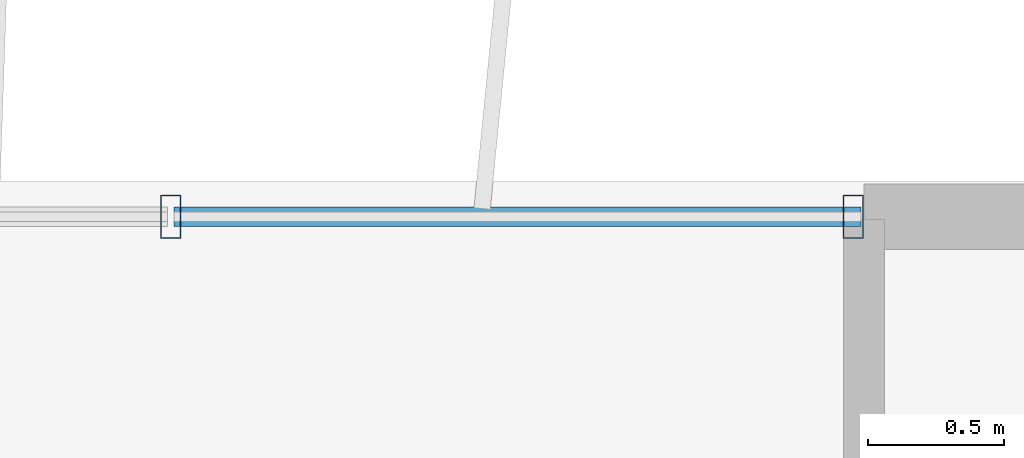
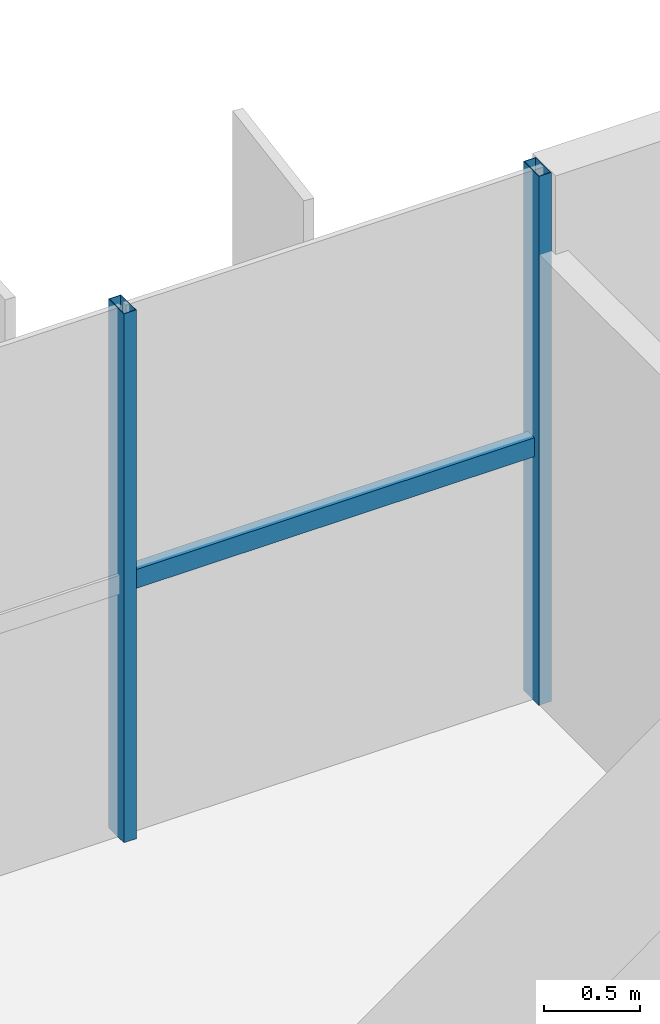
# One storey, part 14 of 21: 3 members, 1 element without a shape of its own.
"""IFC4 building model written with IfcOpenShell, lengths in metres."""

from ifc_helpers import new_model, si_unit, direction, frame, origin, origin_2d, place, context, subcontext, project, spatial, hollow_rectangle, extrude, source, transform, mapped, material, material_profile, profile_set, type_object, element, aggregate, save


model = new_model("IFC4")

# Units and contexts
model_context = context("Model", 3, precision=1e-05, world=origin(), true_north=direction((0.0, 1.0)))
body_context = subcontext(model_context, "Body", "Model", "MODEL_VIEW")
ifc_project = project(units=[si_unit("LENGTHUNIT", "METRE"), si_unit("AREAUNIT", "SQUARE_METRE"), si_unit("VOLUMEUNIT", "CUBIC_METRE"), si_unit("PLANEANGLEUNIT", "RADIAN"), si_unit("MASSUNIT", "GRAM", prefix="KILO")], contexts=[model_context])

# Site, building, storey
site_placement = place(None, origin())
site = spatial("IfcSite", under=ifc_project, at=site_placement, CompositionType="ELEMENT")
building_placement = place(site_placement, origin())
building = spatial("IfcBuilding", under=site, at=building_placement, Name="Trelvane Seafront Commons", CompositionType="ELEMENT")
storey_placement = place(building_placement, frame((0.0, 0.0, 248.699951171875)))
storey = spatial("IfcBuildingStorey", under=building, at=storey_placement, Name="L64", CompositionType="ELEMENT", Elevation=248.699951171875)

# Curtain wall, members
ifc_material = material(Name="Anodised pale-silver aluminium", Category="aluminium")
curtain_wall_type = type_object("IfcCurtainWallType", Name="ARCH-CW5-UPTOWER", PredefinedType="NOTDEFINED", material=ifc_material)
curtain_wall_placement = place(storey_placement, origin())
curtain_wall = element("IfcCurtainWall", 1, at=curtain_wall_placement, inside=storey, type_object=curtain_wall_type, Name="CW-L64-0108", PredefinedType="NOTDEFINED")
ifc_material_profile_1 = material_profile(ifc_material, hollow_rectangle(XDim=0.070068359375, YDim=0.1201171875, WallThickness=0.00390625, at=origin_2d()), Name="TRAN-70x120x4")
ifc_profile_set_1 = profile_set([ifc_material_profile_1], Name="Anodised pale-silver aluminium")
member_type_1 = type_object("IfcMemberType", Name="ARCH-CW-TRAN-120", PredefinedType="USERDEFINED", material=ifc_profile_set_1)
shared_shape_1 = source(origin(), body_context, "Body", "SweptSolid", [
    extrude(hollow_rectangle(XDim=0.070068359375, YDim=0.1201171875, WallThickness=0.00390625, at=origin_2d()), origin(), (0.0, 0.0, 1.0), 2.517333984375),
])
member_1_placement = place(storey_placement, frame((56.270751953125, 48.3701171875, 1.6181640625), z_axis=(1.0, 0.0, 0.0), x_axis=(0.0, 1.0, 0.0)))
member_1 = element("IfcMember", 2, at=member_1_placement, type_object=member_type_1, Name="CW-L64-0108-T16", ObjectType="TRANSOM", PredefinedType="USERDEFINED", context=body_context, shape_type="MappedRepresentation", body=[
    mapped(shared_shape_1, transform((0.0, 0.0, 0.0), x_axis=(1.0, 0.0, 0.0), y_axis=(0.0, 1.0, 0.0), z_axis=(0.0, 0.0, 1.0), scale=1.0)),
])
ifc_material_profile_2 = material_profile(ifc_material, hollow_rectangle(XDim=0.074951171875, YDim=0.159912109375, WallThickness=0.00390625, at=origin_2d()), Name="MULL-75x160x4")
ifc_profile_set_2 = profile_set([ifc_material_profile_2], Name="Anodised pale-silver aluminium")
member_type_2 = type_object("IfcMemberType", Name="ARCH-CW-MULL-160", PredefinedType="MULLION", material=ifc_profile_set_2)
shared_shape_2 = source(origin(), body_context, "Body", "SweptSolid", [
    extrude(hollow_rectangle(XDim=0.074951171875, YDim=0.159912109375, WallThickness=0.00390625, at=origin_2d()), origin(), (0.0, 0.0, 1.0), 3.3701171875),
])
member_2_placement = place(storey_placement, frame((56.2587890625, 48.3701171875, 0.0), z_axis=(0.0, 0.0, 1.0), x_axis=(1.0, 0.0, 0.0)))
member_2 = element("IfcMember", 3, at=member_2_placement, type_object=member_type_2, Name="CW-L64-0108-M16", PredefinedType="MULLION", context=body_context, shape_type="MappedRepresentation", body=[
    mapped(shared_shape_2, transform((0.0, 0.0, 0.0), x_axis=(1.0, 0.0, 0.0), y_axis=(0.0, 1.0, 0.0), z_axis=(0.0, 0.0, 1.0), scale=1.0)),
])
member_3_placement = place(storey_placement, frame((58.760009765625, 48.3701171875, 0.0), z_axis=(0.0, 0.0, 1.0), x_axis=(1.0, 0.0, 0.0)))
member_3 = element("IfcMember", 4, at=member_3_placement, type_object=member_type_2, Name="CW-L64-0108-M17", PredefinedType="MULLION", context=body_context, shape_type="MappedRepresentation", body=[
    mapped(shared_shape_2, transform((0.0, 0.0, 0.0), x_axis=(1.0, 0.0, 0.0), y_axis=(0.0, 1.0, 0.0), z_axis=(0.0, 0.0, 1.0), scale=1.0)),
])
aggregate(curtain_wall, [member_2, member_3, member_1])

save(model, "model.ifc")
